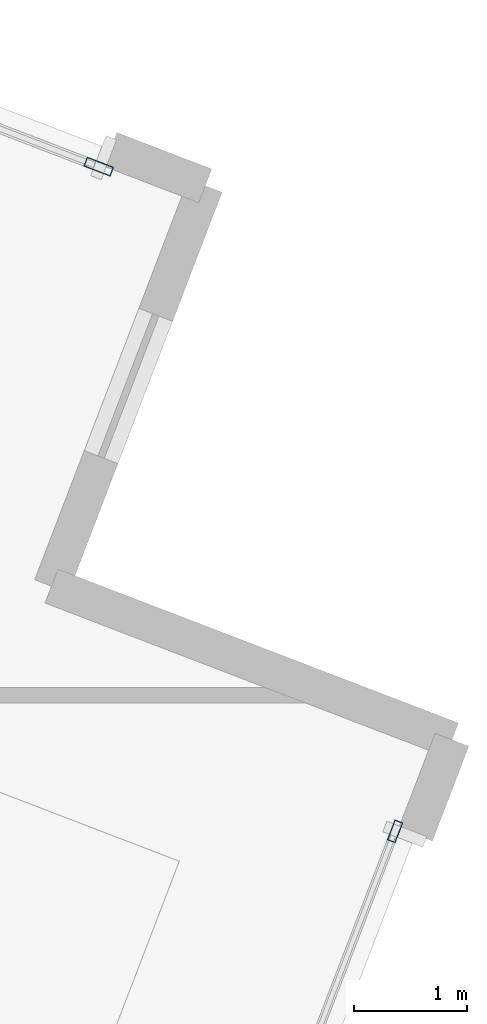
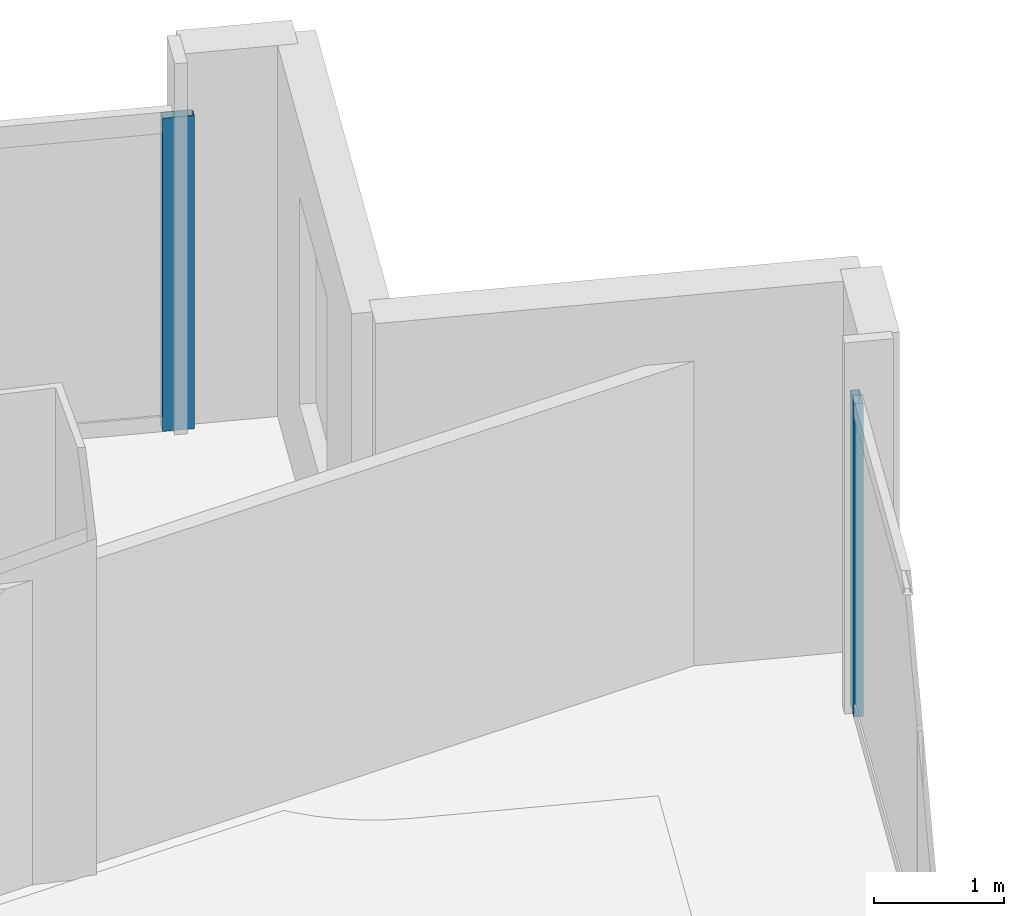
# One storey, part 16 of 27: 2 members, 2 elements without a shape of their own.
"""IFC4 building model written with IfcOpenShell, lengths in metres."""

from ifc_helpers import new_model, si_unit, direction, frame, origin, origin_2d, place, context, subcontext, project, spatial, hollow_rectangle, extrude, material, material_profile, profile_set, type_object, element, aggregate, save


model = new_model("IFC4")

# Units and contexts
model_context = context("Model", 3, precision=1e-05, world=origin(), true_north=direction((0.0, 1.0)))
body_context = subcontext(model_context, "Body", "Model", "MODEL_VIEW")
ifc_project = project(units=[si_unit("LENGTHUNIT", "METRE"), si_unit("AREAUNIT", "SQUARE_METRE"), si_unit("VOLUMEUNIT", "CUBIC_METRE"), si_unit("PLANEANGLEUNIT", "RADIAN"), si_unit("MASSUNIT", "GRAM", prefix="KILO")], contexts=[model_context])

# Site, building, storey
site_placement = place(None, origin())
site = spatial("IfcSite", under=ifc_project, at=site_placement, CompositionType="ELEMENT")
building_placement = place(site_placement, origin())
building = spatial("IfcBuilding", under=site, at=building_placement, Name="Haldenkirk Collegiate Tower", CompositionType="ELEMENT")
storey_placement = place(building_placement, frame((0.0, 0.0, 259.949951171875)))
storey = spatial("IfcBuildingStorey", under=building, at=storey_placement, Name="L65", CompositionType="ELEMENT", Elevation=259.949951171875)

# Curtain wall, member
ifc_material = material(Name="Anodised architectural bronze aluminium", Category="aluminium")
curtain_wall_type_1 = type_object("IfcCurtainWallType", Name="CW-SYS2-CONCAVE", PredefinedType="USERDEFINED", material=ifc_material)
curtain_wall_1_placement = place(storey_placement, origin())
curtain_wall_1 = element("IfcCurtainWall", 1, at=curtain_wall_1_placement, inside=storey, type_object=curtain_wall_type_1, Name="L65 South concave recessed bronze-anodised curtain wall", ObjectType="UNITISED CURTAIN WALL", PredefinedType="USERDEFINED")
ifc_material_profile_1 = material_profile(ifc_material, hollow_rectangle(XDim=0.074951171875, YDim=0.18994140625, WallThickness=0.0048828125, at=origin_2d()), Name="CW-MUL-02")
ifc_profile_set_1 = profile_set([ifc_material_profile_1], Name="Anodised architectural bronze aluminium")
member_type_1 = type_object("IfcMemberType", Name="CW-MUL-02", PredefinedType="MULLION", material=ifc_profile_set_1)
member_1_placement = place(storey_placement, frame((63.992431640625, 35.244873046875, 0.0), z_axis=(0.0, 0.0, 1.0), x_axis=(0.933579158551, -0.358371252641, 0.0)))
member_1 = element("IfcMember", 2, at=member_1_placement, type_object=member_type_1, Name="CW-02 mullion 1", PredefinedType="MULLION", context=body_context, shape_type="SweptSolid", body=[
    extrude(hollow_rectangle(XDim=0.074951171875, YDim=0.18994140625, WallThickness=0.0048828125, at=origin_2d()), origin(), (0.0, 0.0, 1.0), 2.93798828125),
])
aggregate(curtain_wall_1, [member_1])

curtain_wall_type_2 = type_object("IfcCurtainWallType", Name="CW-SYS1B-CONVEX-HI", PredefinedType="USERDEFINED", material=ifc_material)
curtain_wall_2_placement = place(storey_placement, origin())
curtain_wall_2 = element("IfcCurtainWall", 3, at=curtain_wall_2_placement, inside=storey, type_object=curtain_wall_type_2, Name="L65 Upper tower high-wind convex bronze unitised curtain wall", ObjectType="UNITISED CURTAIN WALL", PredefinedType="USERDEFINED")
ifc_material_profile_2 = material_profile(ifc_material, hollow_rectangle(XDim=0.0849609375, YDim=0.25, WallThickness=0.0048828125, at=origin_2d()), Name="CW-MUL-1B")
ifc_profile_set_2 = profile_set([ifc_material_profile_2], Name="Anodised architectural bronze aluminium")
member_type_2 = type_object("IfcMemberType", Name="CW-MUL-1B", PredefinedType="MULLION", material=ifc_profile_set_2)
member_2_placement = place(storey_placement, frame((61.3662109375, 41.134765625, 0.0), z_axis=(0.0, 0.0, 1.0), x_axis=(0.358368486711, 0.933580220298, 0.0)))
member_2 = element("IfcMember", 4, at=member_2_placement, type_object=member_type_2, Name="CW-1B mullion 4", PredefinedType="MULLION", context=body_context, shape_type="SweptSolid", body=[
    extrude(hollow_rectangle(XDim=0.0849609375, YDim=0.25, WallThickness=0.0048828125, at=origin_2d()), origin(), (0.0, 0.0, 1.0), 2.93798828125),
])
aggregate(curtain_wall_2, [member_2])

save(model, "model.ifc")
